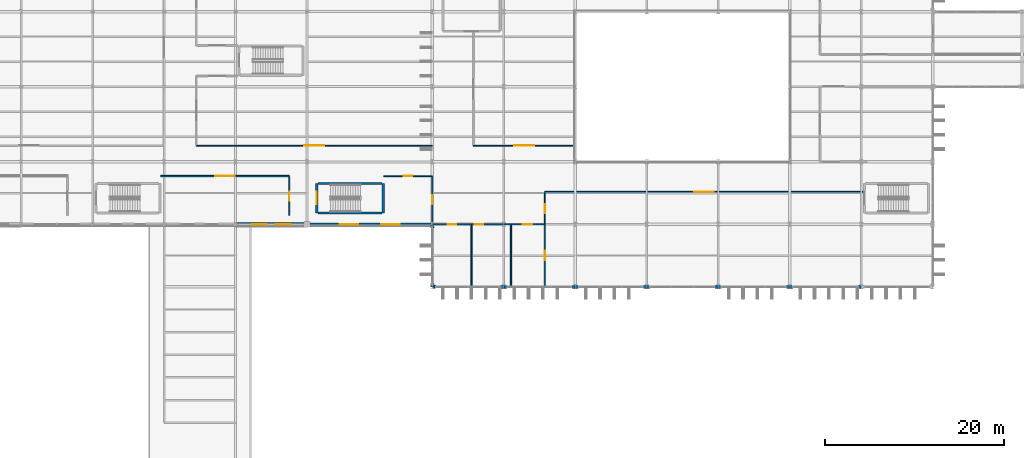
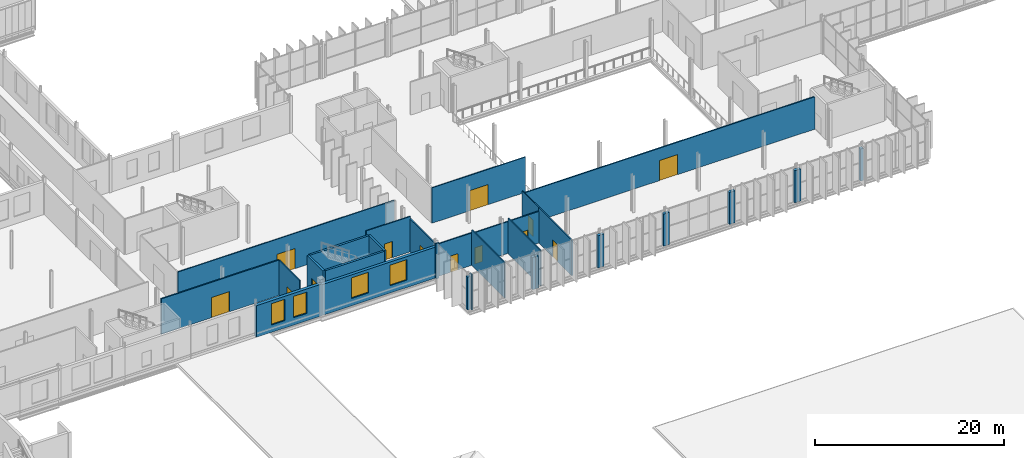
# One storey, part 94 of 120: 34 walls, 13 doors, 4 windows, 17 openings.
"""IFC4 building model written with IfcOpenShell, lengths in metres."""

from ifc_helpers import new_model, si_unit, direction, frame, frame_2d, origin, place, context, subcontext, project, spatial, rectangle, extrude, material, layer, layer_set, type_object, element, fill, save


model = new_model("IFC4")

# Units and contexts
model_context = context("Model", 3, precision=1e-05, world=origin(), true_north=direction((0.0, 1.0)))
body_context = subcontext(model_context, "Body", "Model", "MODEL_VIEW")
ifc_project = project(units=[si_unit("LENGTHUNIT", "METRE"), si_unit("AREAUNIT", "SQUARE_METRE"), si_unit("VOLUMEUNIT", "CUBIC_METRE"), si_unit("PLANEANGLEUNIT", "RADIAN"), si_unit("MASSUNIT", "GRAM", prefix="KILO")], contexts=[model_context])

# Site, building, storey
site_placement = place(None, origin())
site = spatial("IfcSite", under=ifc_project, at=site_placement, CompositionType="ELEMENT")
building_placement = place(site_placement, origin())
building = spatial("IfcBuilding", under=site, at=building_placement, Name="Vekula Escarpment Museum", CompositionType="ELEMENT")
storey_placement = place(building_placement, frame((0.0, 0.0, 13.199951171875)))
storey = spatial("IfcBuildingStorey", under=building, at=storey_placement, Name="L03", CompositionType="ELEMENT", Elevation=13.199951171875)

# Wall, openings, windows
ifc_material_1 = material(Name="Inkisi arkosic sandstone masonry", Category="masonry")
ifc_layer_1 = layer(ifc_material_1, 0.35009765625)
ifc_layer_set_1 = layer_set([ifc_layer_1], Name="Inkisi arkosic sandstone masonry")
wall_type_1 = type_object("IfcWallType", Name="WL-ALM-350", PredefinedType="SOLIDWALL", material=ifc_layer_set_1)
wall_1_placement = place(storey_placement, frame((70.0, 52.60009765625, 0.0), z_axis=(0.0, 0.0, 1.0), x_axis=(-1.0, 0.0, 0.0)))
wall_1 = element("IfcWall", 1, at=wall_1_placement, inside=storey, type_object=wall_type_1, Name="Exterior Wall WL-EXT-L03-0561", PredefinedType="SOLIDWALL", context=body_context, shape_type="SweptSolid", body=[
    extrude(rectangle(XDim=14.0, YDim=0.35009765625, at=frame_2d((7.0, 0.0))), origin(), (0.0, 0.0, 1.0), 3.9951171875),
])
opening_1_placement = place(wall_1_placement, frame((3.6416015625, 0.0, 0.949951171875)))
opening_1 = element("IfcOpeningElement", 2, at=opening_1_placement, cuts=wall_1, Name="Opening WN-35", PredefinedType="OPENING", context=body_context, shape_type="SweptSolid", body=[
    extrude(rectangle(XDim=2.050048828125, YDim=2.64990234375, at=frame_2d((1.02490234375, 1.324951171875))), frame((0.0, 0.18505859375, 0.0), z_axis=(0.0, -1.0, 0.0), x_axis=(1.0, 0.0, 0.0)), (0.0, 0.0, 1.0), 0.3701171875),
])
opening_2_placement = place(wall_1_placement, frame((8.308349609375, 0.0, 0.949951171875)))
opening_2 = element("IfcOpeningElement", 3, at=opening_2_placement, cuts=wall_1, Name="Opening WN-35", PredefinedType="OPENING", context=body_context, shape_type="SweptSolid", body=[
    extrude(rectangle(XDim=2.050048828125, YDim=2.64990234375, at=frame_2d((1.02490234375, 1.324951171875))), frame((0.0, 0.18505859375, 0.0), z_axis=(0.0, -1.0, 0.0), x_axis=(1.0, 0.0, 0.0)), (0.0, 0.0, 1.0), 0.3701171875),
])
ifc_material_2 = material(Name="Double solar-control low-E glass", Category="glass")
window_type_1 = type_object("IfcWindowType", Name="WN-GAL-20x34", PartitioningType="DOUBLE_PANEL_VERTICAL", PredefinedType="WINDOW", material=ifc_material_2)
window_1_placement = place(opening_1_placement, origin())
window_1 = element("IfcWindow", 4, at=window_1_placement, inside=storey, type_object=window_type_1, Name="Window L03-0267", OverallHeight=2.64990234375, OverallWidth=2.050048828125, PartitioningType="SINGLE_PANEL", PredefinedType="WINDOW", context=body_context, shape_type="SweptSolid", body=[
    extrude(rectangle(XDim=2.050048828125, YDim=2.64990234375, at=frame_2d((1.02490234375, 1.324951171875))), frame((0.0, 0.030029296875, 0.0), z_axis=(0.0, -1.0, 0.0), x_axis=(1.0, 0.0, 0.0)), (0.0, 0.0, 1.0), 0.06005859375),
])
fill(opening_1, window_1)
window_2_placement = place(opening_2_placement, origin())
window_2 = element("IfcWindow", 5, at=window_2_placement, inside=storey, type_object=window_type_1, Name="Window L03-0268", OverallHeight=2.64990234375, OverallWidth=2.050048828125, PartitioningType="SINGLE_PANEL", PredefinedType="WINDOW", context=body_context, shape_type="SweptSolid", body=[
    extrude(rectangle(XDim=2.050048828125, YDim=2.64990234375, at=frame_2d((1.02490234375, 1.324951171875))), frame((0.0, 0.030029296875, 0.0), z_axis=(0.0, -1.0, 0.0), x_axis=(1.0, 0.0, 0.0)), (0.0, 0.0, 1.0), 0.06005859375),
])
fill(opening_2, window_2)

# Walls
wall_2_placement = place(storey_placement, frame((70.0, 52.4208984375, 0.0), z_axis=(0.0, 0.0, 1.0), x_axis=(0.0, -1.0, 0.0)))
element("IfcWall", 6, at=wall_2_placement, inside=storey, type_object=wall_type_1, Name="Facade Jamb Pier L03-0562A", PredefinedType="SOLIDWALL", context=body_context, shape_type="SweptSolid", body=[
    extrude(rectangle(XDim=0.180908203125, YDim=0.35009765625, at=frame_2d((0.09033203125, 0.0))), origin(), (0.0, 0.0, 1.0), 4.56005859375),
])
wall_3_placement = place(storey_placement, frame((70.0, 45.9599609375, 0.0), z_axis=(0.0, 0.0, 1.0), x_axis=(0.0, -1.0, 0.0)))
element("IfcWall", 7, at=wall_3_placement, inside=storey, type_object=wall_type_1, Name="Facade Jamb Pier L03-0563B", PredefinedType="SOLIDWALL", context=body_context, shape_type="SweptSolid", body=[
    extrude(rectangle(XDim=0.35986328125, YDim=0.35009765625, at=frame_2d((0.179931640625, 0.0))), origin(), (0.0, 0.0, 1.0), 4.255126953125),
])
wall_4_placement = place(storey_placement, frame((70.178955078125, 45.60009765625, 0.0), z_axis=(0.0, 0.0, 1.0), x_axis=(1.0, 0.0, 0.0)))
element("IfcWall", 8, at=wall_4_placement, inside=storey, type_object=wall_type_1, Name="Facade Jamb Pier L03-0564A", PredefinedType="SOLIDWALL", context=body_context, shape_type="SweptSolid", body=[
    extrude(rectangle(XDim=0.18115234375, YDim=0.35009765625, at=frame_2d((0.090576171875, 0.0))), origin(), (0.0, 0.0, 1.0), 4.56005859375),
])
for number, where, z_axis, x_axis, name in (
    (9, (77.639892578125, 45.60009765625, 0.0), (0.0, 0.0, 1.0), (1.0, 0.0, 0.0), "Facade Jamb Pier L03-0565B"),
    (10, (78.0, 45.60009765625, 0.0), (0.0, 0.0, 1.0), (1.0, 0.0, 0.0), "Facade Jamb Pier L03-0566A"),
    (11, (85.639892578125, 45.60009765625, 0.0), (0.0, 0.0, 1.0), (1.0, 0.0, 0.0), "Facade Jamb Pier L03-0567B"),
    (12, (86.0, 45.60009765625, 0.0), (0.0, 0.0, 1.0), (1.0, 0.0, 0.0), "Facade Jamb Pier L03-0568A"),
    (13, (93.639892578125, 45.60009765625, 0.0), (0.0, 0.0, 1.0), (1.0, 0.0, 0.0), "Facade Jamb Pier L03-0569B"),
    (14, (94.0, 45.60009765625, 0.0), (0.0, 0.0, 1.0), (1.0, 0.0, 0.0), "Facade Jamb Pier L03-0570A"),
    (15, (101.639892578125, 45.60009765625, 0.0), (0.0, 0.0, 1.0), (1.0, 0.0, 0.0), "Facade Jamb Pier L03-0571B"),
    (16, (102.0, 45.60009765625, 0.0), (0.0, 0.0, 1.0), (1.0, 0.0, 0.0), "Facade Jamb Pier L03-0572A"),
    (17, (109.639892578125, 45.60009765625, 0.0), (0.0, 0.0, 1.0), (1.0, 0.0, 0.0), "Facade Jamb Pier L03-0573B"),
    (18, (110.0, 45.60009765625, 0.0), (0.0, 0.0, 1.0), (1.0, 0.0, 0.0), "Facade Jamb Pier L03-0574A"),
    (19, (117.639892578125, 45.60009765625, 0.0), (0.0, 0.0, 1.0), (1.0, 0.0, 0.0), "Facade Jamb Pier L03-0575B"),
):
    element("IfcWall", number, at=place(storey_placement, frame(where, z_axis=z_axis, x_axis=x_axis)), inside=storey, type_object=wall_type_1, Name=name, PredefinedType="SOLIDWALL", context=body_context, shape_type="SweptSolid", body=[
        extrude(rectangle(XDim=0.360107421875, YDim=0.35009765625, at=frame_2d((0.18017578125, 0.0))), origin(), (0.0, 0.0, 1.0), 4.155029296875),
    ])

# Wall, openings, windows
ifc_material_3 = material(Name="Inkisi arkosic sandstone masonry", Category="masonry")
ifc_layer_2 = layer(ifc_material_3, 0.3798828125)
ifc_layer_set_2 = layer_set([ifc_layer_2], Name="Inkisi arkosic sandstone masonry")
wall_type_2 = type_object("IfcWallType", Name="WL-ALM-380", PredefinedType="SOLIDWALL", material=ifc_layer_set_2)
wall_5_placement = place(storey_placement, frame((56.0, 52.60009765625, 0.0), z_axis=(0.0, 0.0, 1.0), x_axis=(-1.0, 0.0, 0.0)))
wall_5 = element("IfcWall", 20, at=wall_5_placement, inside=storey, type_object=wall_type_2, Name="Exterior Wall WL-EXT-L03-0560", PredefinedType="SOLIDWALL", context=body_context, shape_type="SweptSolid", body=[
    extrude(rectangle(XDim=8.0, YDim=0.3798828125, at=frame_2d((4.0, 0.0))), origin(), (0.0, 0.0, 1.0), 4.094970703125),
])
opening_3_placement = place(wall_5_placement, frame((1.841796875, 0.0, 0.949951171875)))
opening_3 = element("IfcOpeningElement", 21, at=opening_3_placement, cuts=wall_5, Name="Opening WN-33", PredefinedType="OPENING", context=body_context, shape_type="SweptSolid", body=[
    extrude(rectangle(XDim=1.64990234375, YDim=2.75, at=frame_2d((0.824951171875, 1.375))), frame((0.0, 0.199951171875, 0.0), z_axis=(0.0, -1.0, 0.0), x_axis=(1.0, 0.0, 0.0)), (0.0, 0.0, 1.0), 0.39990234375),
])
opening_4_placement = place(wall_5_placement, frame((4.50830078125, 0.0, 0.949951171875)))
opening_4 = element("IfcOpeningElement", 22, at=opening_4_placement, cuts=wall_5, Name="Opening WN-33", PredefinedType="OPENING", context=body_context, shape_type="SweptSolid", body=[
    extrude(rectangle(XDim=1.64990234375, YDim=2.75, at=frame_2d((0.824951171875, 1.375))), frame((0.0, 0.199951171875, 0.0), z_axis=(0.0, -1.0, 0.0), x_axis=(1.0, 0.0, 0.0)), (0.0, 0.0, 1.0), 0.39990234375),
])
ifc_material_4 = material(Name="Double solar-control low-E glass", Category="glass")
window_type_2 = type_object("IfcWindowType", Name="WN-GAL-16x29", PartitioningType="DOUBLE_PANEL_VERTICAL", PredefinedType="WINDOW", material=ifc_material_4)
window_3_placement = place(opening_3_placement, origin())
window_3 = element("IfcWindow", 23, at=window_3_placement, inside=storey, type_object=window_type_2, Name="Window L03-0265", OverallHeight=2.75, OverallWidth=1.64990234375, PartitioningType="SINGLE_PANEL", PredefinedType="WINDOW", context=body_context, shape_type="SweptSolid", body=[
    extrude(rectangle(XDim=1.64990234375, YDim=2.75, at=frame_2d((0.824951171875, 1.375))), frame((0.0, 0.030029296875, 0.0), z_axis=(0.0, -1.0, 0.0), x_axis=(1.0, 0.0, 0.0)), (0.0, 0.0, 1.0), 0.06005859375),
])
fill(opening_3, window_3)
window_4_placement = place(opening_4_placement, origin())
window_4 = element("IfcWindow", 24, at=window_4_placement, inside=storey, type_object=window_type_2, Name="Window L03-0266", OverallHeight=2.75, OverallWidth=1.64990234375, PartitioningType="SINGLE_PANEL", PredefinedType="WINDOW", context=body_context, shape_type="SweptSolid", body=[
    extrude(rectangle(XDim=1.64990234375, YDim=2.75, at=frame_2d((0.824951171875, 1.375))), frame((0.0, 0.030029296875, 0.0), z_axis=(0.0, -1.0, 0.0), x_axis=(1.0, 0.0, 0.0)), (0.0, 0.0, 1.0), 0.06005859375),
])
fill(opening_4, window_4)

# Wall, opening, door
ifc_material_5 = material(Name="Concrete C35/45", Category="concrete")
ifc_layer_3 = layer(ifc_material_5, 0.25)
ifc_layer_set_3 = layer_set([ifc_layer_3], Name="Concrete C35/45")
wall_type_3 = type_object("IfcWallType", Name="WL-CORE-250", PredefinedType="SHEAR", material=ifc_layer_set_3)
wall_6_placement = place(storey_placement, frame((57.074951171875, 53.875, 0.0), z_axis=(0.0, 0.0, 1.0), x_axis=(0.0, 1.0, 0.0)))
wall_6 = element("IfcWall", 25, at=wall_6_placement, inside=storey, type_object=wall_type_3, Name="Stair Core Wall ST-01 L03 W", PredefinedType="SHEAR", context=body_context, shape_type="SweptSolid", body=[
    extrude(rectangle(XDim=3.2900390625, YDim=0.25, at=frame_2d((1.64501953125, 0.0))), origin(), (0.0, 0.0, 1.0), 4.56005859375),
])
opening_5_placement = place(wall_6_placement, frame((0.945068359375, 0.0, 0.0)))
opening_5 = element("IfcOpeningElement", 26, at=opening_5_placement, cuts=wall_6, Name="Opening DR-FD60", PredefinedType="OPENING", context=body_context, shape_type="SweptSolid", body=[
    extrude(rectangle(XDim=1.39990234375, YDim=2.199951171875, at=frame_2d((0.699951171875, 1.10009765625))), frame((0.0, 0.135009765625, 0.0), z_axis=(0.0, -1.0, 0.0), x_axis=(1.0, 0.0, 0.0)), (0.0, 0.0, 1.0), 0.27001953125),
])
ifc_material_6 = material(Name="Fire-rated steel stair door", Category="steel")
door_type_1 = type_object("IfcDoorType", Name="DR-STAIR-1400x2200", OperationType="NOTDEFINED", PredefinedType="DOOR", material=ifc_material_6)
door_1_placement = place(opening_5_placement, origin())
door_1 = element("IfcDoor", 27, at=door_1_placement, inside=storey, type_object=door_type_1, Name="Protected Exit Stair Door ST-01 L03", OperationType="SINGLE_SWING_RIGHT", OverallHeight=2.199951171875, OverallWidth=1.39990234375, PredefinedType="DOOR", context=body_context, shape_type="SweptSolid", body=[
    extrude(rectangle(XDim=1.39990234375, YDim=2.199951171875, at=frame_2d((0.699951171875, 1.10009765625))), frame((0.0, 0.02490234375, 0.0), z_axis=(0.0, -1.0, 0.0), x_axis=(1.0, 0.0, 0.0)), (0.0, 0.0, 1.0), 0.050048828125),
])
fill(opening_5, door_1)

# Walls
wall_7_placement = place(storey_placement, frame((64.52490234375, 53.875, 0.0), z_axis=(0.0, 0.0, 1.0), x_axis=(0.0, 1.0, 0.0)))
element("IfcWall", 28, at=wall_7_placement, inside=storey, type_object=wall_type_3, Name="Stair Core Wall ST-01 L03 E", PredefinedType="SHEAR", context=body_context, shape_type="SweptSolid", body=[
    extrude(rectangle(XDim=3.2900390625, YDim=0.25, at=frame_2d((1.64501953125, 0.0))), origin(), (0.0, 0.0, 1.0), 4.56005859375),
])
for number, where, z_axis, x_axis, name in (
    (29, (57.2041015625, 53.875, 0.0), (0.0, 0.0, 1.0), (1.0, 0.0, 0.0), "Stair Core Wall ST-01 L03 S"),
    (30, (57.2041015625, 57.1650390625, 0.0), (0.0, 0.0, 1.0), (1.0, 0.0, 0.0), "Stair Core Wall ST-01 L03 N"),
):
    element("IfcWall", number, at=place(storey_placement, frame(where, z_axis=z_axis, x_axis=x_axis)), inside=storey, type_object=wall_type_3, Name=name, PredefinedType="SHEAR", context=body_context, shape_type="SweptSolid", body=[
        extrude(rectangle(XDim=7.19189453125, YDim=0.25, at=frame_2d((3.595947265625, 0.0))), origin(), (0.0, 0.0, 1.0), 4.56005859375),
    ])

# Wall, opening, door
ifc_material_7 = material(Name="Lightweight studio partition", Category="gypsum")
ifc_layer_4 = layer(ifc_material_7, 0.1201171875)
ifc_layer_set_4 = layer_set([ifc_layer_4], Name="Lightweight studio partition")
wall_type_4 = type_object("IfcWallType", Name="WL-PART-120", PredefinedType="PARTITIONING", material=ifc_layer_set_4)
wall_8_placement = place(storey_placement, frame((43.60009765625, 61.39990234375, 0.0), z_axis=(0.0, 0.0, 1.0), x_axis=(1.0, 0.0, 0.0)))
wall_8 = element("IfcWall", 31, at=wall_8_placement, inside=storey, type_object=wall_type_4, Name="Interior Partition WL-INT-L03-0012", PredefinedType="PARTITIONING", context=body_context, shape_type="SweptSolid", body=[
    extrude(rectangle(XDim=26.39990234375, YDim=0.1201171875, at=frame_2d((13.199951171875, 0.0))), origin(), (0.0, 0.0, 1.0), 4.56005859375),
])
opening_6_placement = place(wall_8_placement, frame((12.10009765625, 0.0, 0.0)))
opening_6 = element("IfcOpeningElement", 32, at=opening_6_placement, cuts=wall_8, Name="Opening DR-GL22", PredefinedType="OPENING", context=body_context, shape_type="SweptSolid", body=[
    extrude(rectangle(XDim=2.199951171875, YDim=2.60009765625, at=frame_2d((1.10009765625, 1.300048828125))), frame((0.0, 0.070068359375, 0.0), z_axis=(0.0, -1.0, 0.0), x_axis=(1.0, 0.0, 0.0)), (0.0, 0.0, 1.0), 0.14013671875),
])
ifc_material_8 = material(Name="Double acoustic timber gallery door", Category="wood")
door_type_2 = type_object("IfcDoorType", Name="DR-GAL-2200x2600", OperationType="NOTDEFINED", PredefinedType="DOOR", material=ifc_material_8)
door_2_placement = place(opening_6_placement, origin())
door_2 = element("IfcDoor", 33, at=door_2_placement, inside=storey, type_object=door_type_2, Name="Interior Door L03-011", OperationType="SINGLE_SWING_RIGHT", OverallHeight=2.60009765625, OverallWidth=2.199951171875, PredefinedType="DOOR", context=body_context, shape_type="SweptSolid", body=[
    extrude(rectangle(XDim=2.199951171875, YDim=2.60009765625, at=frame_2d((1.10009765625, 1.300048828125))), frame((0.0, 0.02490234375, 0.0), z_axis=(0.0, -1.0, 0.0), x_axis=(1.0, 0.0, 0.0)), (0.0, 0.0, 1.0), 0.050048828125),
])
fill(opening_6, door_2)

wall_9_placement = place(storey_placement, frame((64.60009765625, 58.0, 0.0), z_axis=(0.0, 0.0, 1.0), x_axis=(1.0, 0.0, 0.0)))
wall_9 = element("IfcWall", 34, at=wall_9_placement, inside=storey, type_object=wall_type_4, Name="Interior Partition WL-INT-L03-0015", PredefinedType="PARTITIONING", context=body_context, shape_type="SweptSolid", body=[
    extrude(rectangle(XDim=5.39990234375, YDim=0.1201171875, at=frame_2d((2.699951171875, 0.0))), origin(), (0.0, 0.0, 1.0), 4.56005859375),
])
opening_7_placement = place(wall_9_placement, frame((2.22509765625, 0.0, 0.0)))
opening_7 = element("IfcOpeningElement", 35, at=opening_7_placement, cuts=wall_9, Name="Opening DR-OF09", PredefinedType="OPENING", context=body_context, shape_type="SweptSolid", body=[
    extrude(rectangle(XDim=0.949951171875, YDim=2.10009765625, at=frame_2d((0.47509765625, 1.050048828125))), frame((0.0, 0.070068359375, 0.0), z_axis=(0.0, -1.0, 0.0), x_axis=(1.0, 0.0, 0.0)), (0.0, 0.0, 1.0), 0.14013671875),
])
ifc_material_9 = material(Name="Solid core timber office door", Category="wood")
door_type_3 = type_object("IfcDoorType", Name="DR-OFF-0950x2100", OperationType="NOTDEFINED", PredefinedType="DOOR", material=ifc_material_9)
door_3_placement = place(opening_7_placement, origin())
door_3 = element("IfcDoor", 36, at=door_3_placement, inside=storey, type_object=door_type_3, Name="Interior Door L03-014", OperationType="SINGLE_SWING_LEFT", OverallHeight=2.10009765625, OverallWidth=0.949951171875, PredefinedType="DOOR", context=body_context, shape_type="SweptSolid", body=[
    extrude(rectangle(XDim=0.949951171875, YDim=2.10009765625, at=frame_2d((0.47509765625, 1.050048828125))), frame((0.0, 0.02490234375, 0.0), z_axis=(0.0, -1.0, 0.0), x_axis=(1.0, 0.0, 0.0)), (0.0, 0.0, 1.0), 0.050048828125),
])
fill(opening_7, door_3)

wall_10_placement = place(storey_placement, frame((54.0, 53.60009765625, 0.0), z_axis=(0.0, 0.0, 1.0), x_axis=(0.0, 1.0, 0.0)))
wall_10 = element("IfcWall", 37, at=wall_10_placement, inside=storey, type_object=wall_type_4, Name="Interior Partition WL-INT-L03-0021", PredefinedType="PARTITIONING", context=body_context, shape_type="SweptSolid", body=[
    extrude(rectangle(XDim=4.31591796875, YDim=0.1201171875, at=frame_2d((2.157958984375, 0.0))), origin(), (0.0, 0.0, 1.0), 4.56005859375),
])
opening_8_placement = place(wall_10_placement, frame((1.657958984375, 0.0, 0.0)))
opening_8 = element("IfcOpeningElement", 38, at=opening_8_placement, cuts=wall_10, Name="Opening DR-OF10", PredefinedType="OPENING", context=body_context, shape_type="SweptSolid", body=[
    extrude(rectangle(XDim=1.0, YDim=2.14990234375, at=frame_2d((0.5, 1.074951171875))), frame((0.0, 0.070068359375, 0.0), z_axis=(0.0, -1.0, 0.0), x_axis=(1.0, 0.0, 0.0)), (0.0, 0.0, 1.0), 0.14013671875),
])
ifc_material_10 = material(Name="Solid core timber study door", Category="wood")
door_type_4 = type_object("IfcDoorType", Name="DR-OFF-1000x2150", OperationType="NOTDEFINED", PredefinedType="DOOR", material=ifc_material_10)
door_4_placement = place(opening_8_placement, origin())
door_4 = element("IfcDoor", 39, at=door_4_placement, inside=storey, type_object=door_type_4, Name="Interior Door L03-020", OperationType="SINGLE_SWING_LEFT", OverallHeight=2.14990234375, OverallWidth=1.0, PredefinedType="DOOR", context=body_context, shape_type="SweptSolid", body=[
    extrude(rectangle(XDim=1.0, YDim=2.14990234375, at=frame_2d((0.5, 1.074951171875))), frame((0.0, 0.02490234375, 0.0), z_axis=(0.0, -1.0, 0.0), x_axis=(1.0, 0.0, 0.0)), (0.0, 0.0, 1.0), 0.050048828125),
])
fill(opening_8, door_4)

wall_11_placement = place(storey_placement, frame((74.60009765625, 61.39990234375, 0.0), z_axis=(0.0, 0.0, 1.0), x_axis=(1.0, 0.0, 0.0)))
wall_11 = element("IfcWall", 40, at=wall_11_placement, inside=storey, type_object=wall_type_4, Name="Interior Partition WL-INT-L03-0024", PredefinedType="PARTITIONING", context=body_context, shape_type="SweptSolid", body=[
    extrude(rectangle(XDim=11.39990234375, YDim=0.1201171875, at=frame_2d((5.699951171875, 0.0))), origin(), (0.0, 0.0, 1.0), 4.56005859375),
])
opening_9_placement = place(wall_11_placement, frame((4.60009765625, 0.0, 0.0)))
opening_9 = element("IfcOpeningElement", 41, at=opening_9_placement, cuts=wall_11, Name="Opening DR-GL22", PredefinedType="OPENING", context=body_context, shape_type="SweptSolid", body=[
    extrude(rectangle(XDim=2.199951171875, YDim=2.60009765625, at=frame_2d((1.10009765625, 1.300048828125))), frame((0.0, 0.070068359375, 0.0), z_axis=(0.0, -1.0, 0.0), x_axis=(1.0, 0.0, 0.0)), (0.0, 0.0, 1.0), 0.14013671875),
])
door_5_placement = place(opening_9_placement, origin())
door_5 = element("IfcDoor", 42, at=door_5_placement, inside=storey, type_object=door_type_2, Name="Interior Door L03-023", OperationType="SINGLE_SWING_RIGHT", OverallHeight=2.60009765625, OverallWidth=2.199951171875, PredefinedType="DOOR", context=body_context, shape_type="SweptSolid", body=[
    extrude(rectangle(XDim=2.199951171875, YDim=2.60009765625, at=frame_2d((1.10009765625, 1.300048828125))), frame((0.0, 0.02490234375, 0.0), z_axis=(0.0, -1.0, 0.0), x_axis=(1.0, 0.0, 0.0)), (0.0, 0.0, 1.0), 0.050048828125),
])
fill(opening_9, door_5)

wall_12_placement = place(storey_placement, frame((82.60009765625, 52.60009765625, 0.0), z_axis=(0.0, 0.0, 1.0), x_axis=(0.0, 1.0, 0.0)))
wall_12 = element("IfcWall", 43, at=wall_12_placement, inside=storey, type_object=wall_type_4, Name="Interior Partition WL-INT-L03-0033", PredefinedType="PARTITIONING", context=body_context, shape_type="SweptSolid", body=[
    extrude(rectangle(XDim=3.52099609375, YDim=0.1201171875, at=frame_2d((1.760498046875, 0.0))), origin(), (0.0, 0.0, 1.0), 4.56005859375),
])
opening_10_placement = place(wall_12_placement, frame((1.260498046875, 0.0, 0.0)))
opening_10 = element("IfcOpeningElement", 44, at=opening_10_placement, cuts=wall_12, Name="Opening DR-OF10", PredefinedType="OPENING", context=body_context, shape_type="SweptSolid", body=[
    extrude(rectangle(XDim=1.0, YDim=2.14990234375, at=frame_2d((0.5, 1.074951171875))), frame((0.0, 0.070068359375, 0.0), z_axis=(0.0, -1.0, 0.0), x_axis=(1.0, 0.0, 0.0)), (0.0, 0.0, 1.0), 0.14013671875),
])
door_6_placement = place(opening_10_placement, origin())
door_6 = element("IfcDoor", 45, at=door_6_placement, inside=storey, type_object=door_type_4, Name="Interior Door L03-032", OperationType="SINGLE_SWING_LEFT", OverallHeight=2.14990234375, OverallWidth=1.0, PredefinedType="DOOR", context=body_context, shape_type="SweptSolid", body=[
    extrude(rectangle(XDim=1.0, YDim=2.14990234375, at=frame_2d((0.5, 1.074951171875))), frame((0.0, 0.02490234375, 0.0), z_axis=(0.0, -1.0, 0.0), x_axis=(1.0, 0.0, 0.0)), (0.0, 0.0, 1.0), 0.050048828125),
])
fill(opening_10, door_6)

ifc_material_11 = material(Name="Moisture-resistant wet-room partition", Category="gypsum")
ifc_layer_5 = layer(ifc_material_11, 0.139892578125)
ifc_layer_set_5 = layer_set([ifc_layer_5], Name="Moisture-resistant wet-room partition")
wall_type_5 = type_object("IfcWallType", Name="WL-PART-140", PredefinedType="PARTITIONING", material=ifc_layer_set_5)
wall_13_placement = place(storey_placement, frame((82.60009765625, 45.60009765625, 0.0), z_axis=(0.0, 0.0, 1.0), x_axis=(0.0, 1.0, 0.0)))
wall_13 = element("IfcWall", 46, at=wall_13_placement, inside=storey, type_object=wall_type_5, Name="Interior Partition WL-INT-L03-0034", PredefinedType="PARTITIONING", context=body_context, shape_type="SweptSolid", body=[
    extrude(rectangle(XDim=7.0, YDim=0.139892578125, at=frame_2d((3.5, 0.0))), origin(), (0.0, 0.0, 1.0), 4.56005859375),
])
opening_11_placement = place(wall_13_placement, frame((2.97509765625, 0.0, 0.0)))
opening_11 = element("IfcOpeningElement", 47, at=opening_11_placement, cuts=wall_13, Name="Opening DR-PM10", PredefinedType="OPENING", context=body_context, shape_type="SweptSolid", body=[
    extrude(rectangle(XDim=1.050048828125, YDim=2.14990234375, at=frame_2d((0.52490234375, 1.074951171875))), frame((0.0, 0.079833984375, 0.0), z_axis=(0.0, -1.0, 0.0), x_axis=(1.0, 0.0, 0.0)), (0.0, 0.0, 1.0), 0.159912109375),
])
ifc_material_12 = material(Name="Accessible PMR washroom door", Category="steel")
door_type_5 = type_object("IfcDoorType", Name="DR-PMR-1050x2150", OperationType="NOTDEFINED", PredefinedType="DOOR", material=ifc_material_12)
door_7_placement = place(opening_11_placement, origin())
door_7 = element("IfcDoor", 48, at=door_7_placement, inside=storey, type_object=door_type_5, Name="Interior Door L03-033", OperationType="SINGLE_SWING_RIGHT", OverallHeight=2.14990234375, OverallWidth=1.050048828125, PredefinedType="DOOR", context=body_context, shape_type="SweptSolid", body=[
    extrude(rectangle(XDim=1.050048828125, YDim=2.14990234375, at=frame_2d((0.52490234375, 1.074951171875))), frame((0.0, 0.02490234375, 0.0), z_axis=(0.0, -1.0, 0.0), x_axis=(1.0, 0.0, 0.0)), (0.0, 0.0, 1.0), 0.050048828125),
])
fill(opening_11, door_7)

wall_14_placement = place(storey_placement, frame((70.0, 52.60009765625, 0.0), z_axis=(0.0, 0.0, 1.0), x_axis=(1.0, 0.0, 0.0)))
wall_14 = element("IfcWall", 49, at=wall_14_placement, inside=storey, type_object=wall_type_5, Name="Interior Partition WL-INT-L03-0039", PredefinedType="PARTITIONING", context=body_context, shape_type="SweptSolid", body=[
    extrude(rectangle(XDim=4.39990234375, YDim=0.139892578125, at=frame_2d((2.199951171875, 0.0))), origin(), (0.0, 0.0, 1.0), 4.18505859375),
])
opening_12_placement = place(wall_14_placement, frame((1.72509765625, 0.0, 0.0)))
opening_12 = element("IfcOpeningElement", 50, at=opening_12_placement, cuts=wall_14, Name="Opening DR-WC09", PredefinedType="OPENING", context=body_context, shape_type="SweptSolid", body=[
    extrude(rectangle(XDim=0.949951171875, YDim=2.10009765625, at=frame_2d((0.47509765625, 1.050048828125))), frame((0.0, 0.079833984375, 0.0), z_axis=(0.0, -1.0, 0.0), x_axis=(1.0, 0.0, 0.0)), (0.0, 0.0, 1.0), 0.159912109375),
])
ifc_material_13 = material(Name="Laminate washroom door", Category="wood")
door_type_6 = type_object("IfcDoorType", Name="DR-WC-0950x2100", OperationType="NOTDEFINED", PredefinedType="DOOR", material=ifc_material_13)
door_8_placement = place(opening_12_placement, origin())
door_8 = element("IfcDoor", 51, at=door_8_placement, inside=storey, type_object=door_type_6, Name="Interior Door L03-038", OperationType="SINGLE_SWING_LEFT", OverallHeight=2.10009765625, OverallWidth=0.949951171875, PredefinedType="DOOR", context=body_context, shape_type="SweptSolid", body=[
    extrude(rectangle(XDim=0.949951171875, YDim=2.10009765625, at=frame_2d((0.47509765625, 1.050048828125))), frame((0.0, 0.02490234375, 0.0), z_axis=(0.0, -1.0, 0.0), x_axis=(1.0, 0.0, 0.0)), (0.0, 0.0, 1.0), 0.050048828125),
])
fill(opening_12, door_8)

wall_15_placement = place(storey_placement, frame((74.39990234375, 52.60009765625, 0.0), z_axis=(0.0, 0.0, 1.0), x_axis=(1.0, 0.0, 0.0)))
wall_15 = element("IfcWall", 52, at=wall_15_placement, inside=storey, type_object=wall_type_5, Name="Interior Partition WL-INT-L03-0040", PredefinedType="PARTITIONING", context=body_context, shape_type="SweptSolid", body=[
    extrude(rectangle(XDim=4.400146484375, YDim=0.139892578125, at=frame_2d((2.2001953125, 0.0))), origin(), (0.0, 0.0, 1.0), 4.094970703125),
])
opening_13_placement = place(wall_15_placement, frame((0.35009765625, 0.0, 0.0)))
opening_13 = element("IfcOpeningElement", 53, at=opening_13_placement, cuts=wall_15, Name="Opening DR-WC09", PredefinedType="OPENING", context=body_context, shape_type="SweptSolid", body=[
    extrude(rectangle(XDim=0.949951171875, YDim=2.10009765625, at=frame_2d((0.47509765625, 1.050048828125))), frame((0.0, 0.079833984375, 0.0), z_axis=(0.0, -1.0, 0.0), x_axis=(1.0, 0.0, 0.0)), (0.0, 0.0, 1.0), 0.159912109375),
])
door_9_placement = place(opening_13_placement, origin())
door_9 = element("IfcDoor", 54, at=door_9_placement, inside=storey, type_object=door_type_6, Name="Interior Door L03-039", OperationType="SINGLE_SWING_RIGHT", OverallHeight=2.10009765625, OverallWidth=0.949951171875, PredefinedType="DOOR", context=body_context, shape_type="SweptSolid", body=[
    extrude(rectangle(XDim=0.949951171875, YDim=2.10009765625, at=frame_2d((0.47509765625, 1.050048828125))), frame((0.0, 0.02490234375, 0.0), z_axis=(0.0, -1.0, 0.0), x_axis=(1.0, 0.0, 0.0)), (0.0, 0.0, 1.0), 0.050048828125),
])
fill(opening_13, door_9)

wall_16_placement = place(storey_placement, frame((78.800048828125, 52.60009765625, 0.0), z_axis=(0.0, 0.0, 1.0), x_axis=(1.0, 0.0, 0.0)))
wall_16 = element("IfcWall", 55, at=wall_16_placement, inside=storey, type_object=wall_type_5, Name="Interior Partition WL-INT-L03-0041", PredefinedType="PARTITIONING", context=body_context, shape_type="SweptSolid", body=[
    extrude(rectangle(XDim=3.725830078125, YDim=0.139892578125, at=frame_2d((1.86279296875, 0.0))), origin(), (0.0, 0.0, 1.0), 4.094970703125),
])
opening_14_placement = place(wall_16_placement, frame((1.337890625, 0.0, 0.0)))
opening_14 = element("IfcOpeningElement", 56, at=opening_14_placement, cuts=wall_16, Name="Opening DR-PM10", PredefinedType="OPENING", context=body_context, shape_type="SweptSolid", body=[
    extrude(rectangle(XDim=1.050048828125, YDim=2.14990234375, at=frame_2d((0.52490234375, 1.074951171875))), frame((0.0, 0.079833984375, 0.0), z_axis=(0.0, -1.0, 0.0), x_axis=(1.0, 0.0, 0.0)), (0.0, 0.0, 1.0), 0.159912109375),
])
door_10_placement = place(opening_14_placement, origin())
door_10 = element("IfcDoor", 57, at=door_10_placement, inside=storey, type_object=door_type_5, Name="Interior Door L03-040", OperationType="SINGLE_SWING_LEFT", OverallHeight=2.14990234375, OverallWidth=1.050048828125, PredefinedType="DOOR", context=body_context, shape_type="SweptSolid", body=[
    extrude(rectangle(XDim=1.050048828125, YDim=2.14990234375, at=frame_2d((0.52490234375, 1.074951171875))), frame((0.0, 0.02490234375, 0.0), z_axis=(0.0, -1.0, 0.0), x_axis=(1.0, 0.0, 0.0)), (0.0, 0.0, 1.0), 0.050048828125),
])
fill(opening_14, door_10)

# Walls
for number, where, z_axis, x_axis, name in (
    (58, (74.39990234375, 45.60009765625, 0.0), (0.0, 0.0, 1.0), (0.0, 1.0, 0.0), "Interior Partition WL-INT-L03-0042"),
    (59, (78.800048828125, 45.60009765625, 0.0), (0.0, 0.0, 1.0), (0.0, 1.0, 0.0), "Interior Partition WL-INT-L03-0043"),
):
    element("IfcWall", number, at=place(storey_placement, frame(where, z_axis=z_axis, x_axis=x_axis)), inside=storey, type_object=wall_type_5, Name=name, PredefinedType="PARTITIONING", context=body_context, shape_type="SweptSolid", body=[
        extrude(rectangle(XDim=6.92578125, YDim=0.139892578125, at=frame_2d((3.462890625, 0.0))), origin(), (0.0, 0.0, 1.0), 4.56005859375),
    ])

# Wall, opening, door
ifc_material_14 = material(Name="Gypsum board dry-lined partition", Category="gypsum")
ifc_layer_6 = layer(ifc_material_14, 0.14990234375)
ifc_layer_set_6 = layer_set([ifc_layer_6], Name="Gypsum board dry-lined partition")
wall_type_6 = type_object("IfcWallType", Name="WL-PART-150", PredefinedType="PARTITIONING", material=ifc_layer_set_6)
wall_17_placement = place(storey_placement, frame((70.0, 52.779052734375, 0.0), z_axis=(0.0, 0.0, 1.0), x_axis=(0.0, 1.0, 0.0)))
wall_17 = element("IfcWall", 60, at=wall_17_placement, inside=storey, type_object=wall_type_6, Name="Interior Partition WL-INT-L03-0023", PredefinedType="PARTITIONING", context=body_context, shape_type="SweptSolid", body=[
    extrude(rectangle(XDim=5.156982421875, YDim=0.14990234375, at=frame_2d((2.57861328125, 0.0))), origin(), (0.0, 0.0, 1.0), 4.255126953125),
])
opening_15_placement = place(wall_17_placement, frame((2.07861328125, 0.0, 0.0)))
opening_15 = element("IfcOpeningElement", 61, at=opening_15_placement, cuts=wall_17, Name="Opening DR-OF10", PredefinedType="OPENING", context=body_context, shape_type="SweptSolid", body=[
    extrude(rectangle(XDim=1.0, YDim=2.14990234375, at=frame_2d((0.5, 1.074951171875))), frame((0.0, 0.0849609375, 0.0), z_axis=(0.0, -1.0, 0.0), x_axis=(1.0, 0.0, 0.0)), (0.0, 0.0, 1.0), 0.169921875),
])
door_11_placement = place(opening_15_placement, origin())
door_11 = element("IfcDoor", 62, at=door_11_placement, inside=storey, type_object=door_type_4, Name="Interior Door L03-022", OperationType="SINGLE_SWING_LEFT", OverallHeight=2.14990234375, OverallWidth=1.0, PredefinedType="DOOR", context=body_context, shape_type="SweptSolid", body=[
    extrude(rectangle(XDim=1.0, YDim=2.14990234375, at=frame_2d((0.5, 1.074951171875))), frame((0.0, 0.02490234375, 0.0), z_axis=(0.0, -1.0, 0.0), x_axis=(1.0, 0.0, 0.0)), (0.0, 0.0, 1.0), 0.050048828125),
])
fill(opening_15, door_11)

wall_18_placement = place(storey_placement, frame((82.60009765625, 56.199951171875, 0.0), z_axis=(0.0, 0.0, 1.0), x_axis=(1.0, 0.0, 0.0)))
wall_18 = element("IfcWall", 63, at=wall_18_placement, inside=storey, type_object=wall_type_6, Name="Interior Partition WL-INT-L03-0026", PredefinedType="PARTITIONING", context=body_context, shape_type="SweptSolid", body=[
    extrude(rectangle(XDim=35.64599609375, YDim=0.14990234375, at=frame_2d((17.822998046875, 0.0))), origin(), (0.0, 0.0, 1.0), 4.18505859375),
])
opening_16_placement = place(wall_18_placement, frame((16.722900390625, 0.0, 0.0)))
opening_16 = element("IfcOpeningElement", 64, at=opening_16_placement, cuts=wall_18, Name="Opening DR-GL22", PredefinedType="OPENING", context=body_context, shape_type="SweptSolid", body=[
    extrude(rectangle(XDim=2.199951171875, YDim=2.60009765625, at=frame_2d((1.10009765625, 1.300048828125))), frame((0.0, 0.0849609375, 0.0), z_axis=(0.0, -1.0, 0.0), x_axis=(1.0, 0.0, 0.0)), (0.0, 0.0, 1.0), 0.169921875),
])
door_12_placement = place(opening_16_placement, origin())
door_12 = element("IfcDoor", 65, at=door_12_placement, inside=storey, type_object=door_type_2, Name="Interior Door L03-025", OperationType="SINGLE_SWING_RIGHT", OverallHeight=2.60009765625, OverallWidth=2.199951171875, PredefinedType="DOOR", context=body_context, shape_type="SweptSolid", body=[
    extrude(rectangle(XDim=2.199951171875, YDim=2.60009765625, at=frame_2d((1.10009765625, 1.300048828125))), frame((0.0, 0.02490234375, 0.0), z_axis=(0.0, -1.0, 0.0), x_axis=(1.0, 0.0, 0.0)), (0.0, 0.0, 1.0), 0.050048828125),
])
fill(opening_16, door_12)

ifc_material_15 = material(Name="Gypsum board gallery partition", Category="gypsum")
ifc_layer_7 = layer(ifc_material_15, 0.159912109375)
ifc_layer_set_7 = layer_set([ifc_layer_7], Name="Gypsum board gallery partition")
wall_type_7 = type_object("IfcWallType", Name="WL-PART-160", PredefinedType="PARTITIONING", material=ifc_layer_set_7)
wall_19_placement = place(storey_placement, frame((39.60009765625, 58.0, 0.0), z_axis=(0.0, 0.0, 1.0), x_axis=(1.0, 0.0, 0.0)))
wall_19 = element("IfcWall", 66, at=wall_19_placement, inside=storey, type_object=wall_type_7, Name="Interior Partition WL-INT-L03-0013", PredefinedType="PARTITIONING", context=body_context, shape_type="SweptSolid", body=[
    extrude(rectangle(XDim=14.39990234375, YDim=0.159912109375, at=frame_2d((7.199951171875, 0.0))), origin(), (0.0, 0.0, 1.0), 4.56005859375),
])
opening_17_placement = place(wall_19_placement, frame((6.10009765625, 0.0, 0.0)))
opening_17 = element("IfcOpeningElement", 67, at=opening_17_placement, cuts=wall_19, Name="Opening DR-GL22", PredefinedType="OPENING", context=body_context, shape_type="SweptSolid", body=[
    extrude(rectangle(XDim=2.199951171875, YDim=2.60009765625, at=frame_2d((1.10009765625, 1.300048828125))), frame((0.0, 0.08984375, 0.0), z_axis=(0.0, -1.0, 0.0), x_axis=(1.0, 0.0, 0.0)), (0.0, 0.0, 1.0), 0.179931640625),
])
door_13_placement = place(opening_17_placement, origin())
door_13 = element("IfcDoor", 68, at=door_13_placement, inside=storey, type_object=door_type_2, Name="Interior Door L03-012", OperationType="SINGLE_SWING_LEFT", OverallHeight=2.60009765625, OverallWidth=2.199951171875, PredefinedType="DOOR", context=body_context, shape_type="SweptSolid", body=[
    extrude(rectangle(XDim=2.199951171875, YDim=2.60009765625, at=frame_2d((1.10009765625, 1.300048828125))), frame((0.0, 0.02490234375, 0.0), z_axis=(0.0, -1.0, 0.0), x_axis=(1.0, 0.0, 0.0)), (0.0, 0.0, 1.0), 0.050048828125),
])
fill(opening_17, door_13)

save(model, "model.ifc")
